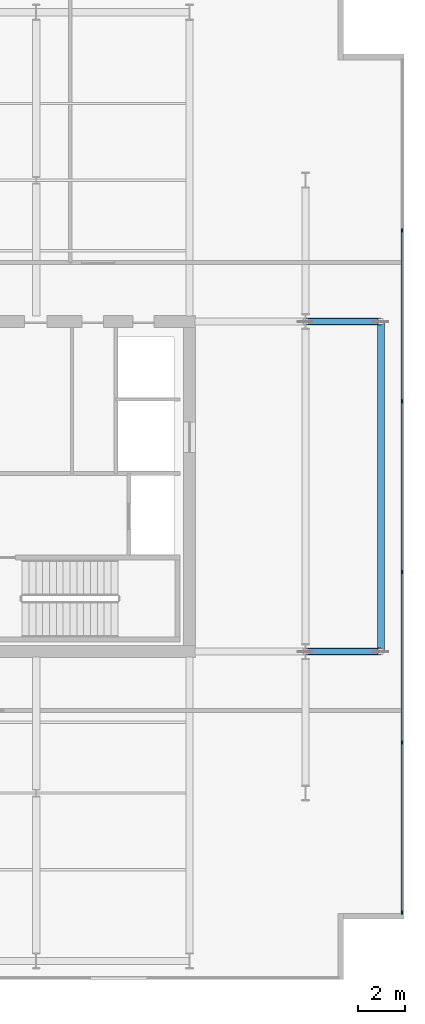
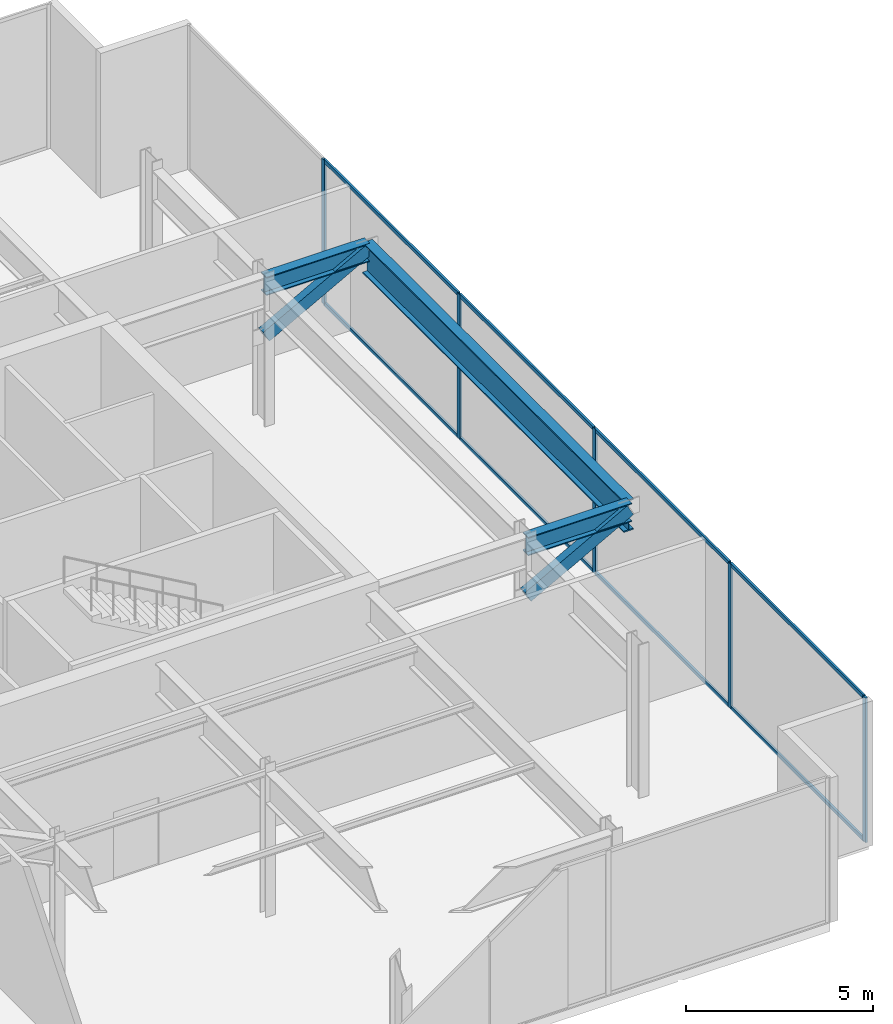
# One storey, part 14 of 23: 15 members, 3 beams, 1 element without a shape of its own.
"""IFC4 building model written with IfcOpenShell, lengths in metres."""

from ifc_helpers import new_model, si_unit, direction, frame, origin, origin_2d, place, context, subcontext, project, spatial, rectangle, hollow_rectangle, i_section, extrude, material, layer, layer_set, material_profile, profile_set, type_object, element, aggregate, save


model = new_model("IFC4")

# Units and contexts
model_context = context("Model", 3, precision=1e-05, world=origin(), true_north=direction((0.0, 1.0)))
body_context = subcontext(model_context, "Body", "Model", "MODEL_VIEW")
ifc_project = project(units=[si_unit("LENGTHUNIT", "METRE"), si_unit("AREAUNIT", "SQUARE_METRE"), si_unit("VOLUMEUNIT", "CUBIC_METRE"), si_unit("PLANEANGLEUNIT", "RADIAN"), si_unit("MASSUNIT", "GRAM", prefix="KILO")], contexts=[model_context])

# Site, building, storey
site_placement = place(None, origin())
site = spatial("IfcSite", under=ifc_project, at=site_placement, CompositionType="ELEMENT")
building_placement = place(site_placement, origin())
building = spatial("IfcBuilding", under=site, at=building_placement, Name="Putna Gate Headquarters", CompositionType="ELEMENT")
storey_placement = place(building_placement, frame((0.0, 0.0, 310.39990234375)))
storey = spatial("IfcBuildingStorey", under=building, at=storey_placement, Name="L78", CompositionType="ELEMENT", Elevation=310.39990234375)

# Beams
ifc_material_1 = material(Name="Steel S355J2", Category="steel")
ifc_material_profile_1 = material_profile(ifc_material_1, i_section(OverallWidth=0.300048828125, OverallDepth=0.60009765625, WebThickness=0.015380859375, FlangeThickness=0.030029296875, at=origin_2d()), Name="Steel S355J2")
ifc_profile_set_1 = profile_set([ifc_material_profile_1], Name="Steel S355J2")
beam_type_1 = type_object("IfcBeamType", Name="BM-GIRD-SAIL-HEB600", PredefinedType="USERDEFINED", material=ifc_profile_set_1)
for number, where, z_axis, x_axis, name in (
    (1, (69.926025390625, 19.0, 4.420166015625), (1.0, 0.0, 0.0), (0.0, 1.0, 0.0), "L78 East Sail Outrigger Bracket Y19"),
    (2, (69.926025390625, 33.0, 4.420166015625), (1.0, 0.0, 0.0), (0.0, 1.0, 0.0), "L78 East Sail Outrigger Bracket Y33"),
):
    element("IfcBeam", number, at=place(storey_placement, frame(where, z_axis=z_axis, x_axis=x_axis)), inside=storey, type_object=beam_type_1, Name=name, ObjectType="GIRDER", PredefinedType="USERDEFINED", context=body_context, shape_type="SweptSolid", body=[
        extrude(i_section(OverallWidth=0.300048828125, OverallDepth=0.60009765625, WebThickness=0.015380859375, FlangeThickness=0.030029296875, at=origin_2d()), origin(), (0.0, 0.0, 1.0), 3.194091796875),
    ])
ifc_material_2 = material(Name="Steel S460M", Category="steel")
ifc_material_profile_2 = material_profile(ifc_material_2, i_section(OverallWidth=0.302001953125, OverallDepth=1.008056640625, WebThickness=0.02099609375, FlangeThickness=0.0400390625, at=origin_2d()), Name="Steel S460M")
ifc_profile_set_2 = profile_set([ifc_material_profile_2], Name="Steel S460M")
beam_type_2 = type_object("IfcBeamType", Name="BM-TG-HEM1000-EXT", PredefinedType="USERDEFINED", material=ifc_profile_set_2)
beam_placement = place(storey_placement, frame((73.1201171875, 19.02001953125, 4.216064453125), z_axis=(0.0, 1.0, 0.0), x_axis=(-1.0, 0.0, 0.0)))
element("IfcBeam", 3, at=beam_placement, inside=storey, type_object=beam_type_2, Name="L78 East Sail Edge Spandrel", ObjectType="GIRDER", PredefinedType="USERDEFINED", context=body_context, shape_type="SweptSolid", body=[
    extrude(i_section(OverallWidth=0.302001953125, OverallDepth=1.008056640625, WebThickness=0.02099609375, FlangeThickness=0.0400390625, at=origin_2d()), origin(), (0.0, 0.0, 1.0), 13.9599609375),
])

# Members
ifc_material_profile_3 = material_profile(ifc_material_2, hollow_rectangle(XDim=0.25, YDim=0.39990234375, WallThickness=0.01611328125, at=origin_2d()), Name="Steel S460M")
ifc_profile_set_3 = profile_set([ifc_material_profile_3], Name="Steel S460M")
member_type_1 = type_object("IfcMemberType", Name="MEM-SAIL-BRACE-RHS400", PredefinedType="BRACE", material=ifc_profile_set_3)
for number, where, z_axis, x_axis, name in (
    (4, (69.9326171875, 19.0, 2.759765625), (0.877062960254, 0.0, 0.480375440411), (0.0, 1.0, 0.0), "L78 East Sail Cantilever Raker Y19"),
    (5, (69.9326171875, 33.0, 2.759765625), (0.877062960254, 0.0, 0.480375440411), (0.0, 1.0, 0.0), "L78 East Sail Cantilever Raker Y33"),
):
    element("IfcMember", number, at=place(storey_placement, frame(where, z_axis=z_axis, x_axis=x_axis)), inside=storey, type_object=member_type_1, Name=name, PredefinedType="BRACE", context=body_context, shape_type="SweptSolid", body=[
        extrude(hollow_rectangle(XDim=0.25, YDim=0.39990234375, WallThickness=0.01611328125, at=origin_2d()), origin(), (0.0, 0.0, 1.0), 3.602783203125),
    ])

# Curtain wall, members
ifc_material_3 = material(Name="Anodised bronze aluminium curtain wall", Category="aluminium")
ifc_layer = layer(ifc_material_3, 0.159912109375)
ifc_layer_set = layer_set([ifc_layer], Name="Anodised bronze aluminium curtain wall")
curtain_wall_type = type_object("IfcCurtainWallType", Name="CW-SYS-CRN", PredefinedType="USERDEFINED", material=ifc_layer_set)
curtain_wall_placement = place(storey_placement, origin())
curtain_wall = element("IfcCurtainWall", 6, at=curtain_wall_placement, inside=storey, type_object=curtain_wall_type, Name="L78 Acoustic Louvre East Enclosure", ObjectType="STICK CURTAIN WALL", PredefinedType="USERDEFINED")
ifc_material_4 = material(Name="Anodised bronze aluminium EN AW-6060", Category="aluminium")
ifc_material_profile_4 = material_profile(ifc_material_4, rectangle(XDim=0.06494140625, YDim=0.159912109375, at=origin_2d()), Name="Anodised bronze aluminium EN AW-6060")
ifc_profile_set_4 = profile_set([ifc_material_profile_4], Name="Anodised bronze aluminium EN AW-6060")
member_type_2 = type_object("IfcMemberType", Name="MULL-CWM-CR", PredefinedType="MULLION", material=ifc_profile_set_4)
member_1_placement = place(storey_placement, frame((74.02001953125, 7.9326171875, 0.0), z_axis=(0.0, 0.0, 1.0), x_axis=(-1.0, 0.0, 0.0)))
member_1 = element("IfcMember", 7, at=member_1_placement, type_object=member_type_2, Name="CWS-CR mullion 1", PredefinedType="MULLION", context=body_context, shape_type="SweptSolid", body=[
    extrude(rectangle(XDim=0.06494140625, YDim=0.159912109375, at=origin_2d()), origin(), (0.0, 0.0, 1.0), 4.72021484375),
])
member_2_placement = place(storey_placement, frame((74.02001953125, 15.139892578125, 0.0), z_axis=(0.0, 0.0, 1.0), x_axis=(-1.0, 0.0, 0.0)))
member_2 = element("IfcMember", 8, at=member_2_placement, type_object=member_type_2, Name="CWS-CR mullion 2", PredefinedType="MULLION", context=body_context, shape_type="SweptSolid", body=[
    extrude(rectangle(XDim=0.06494140625, YDim=0.159912109375, at=origin_2d()), origin(), (0.0, 0.0, 1.0), 4.72021484375),
])
member_3_placement = place(storey_placement, frame((74.02001953125, 22.3798828125, 0.0), z_axis=(0.0, 0.0, 1.0), x_axis=(-1.0, 0.0, 0.0)))
member_3 = element("IfcMember", 9, at=member_3_placement, type_object=member_type_2, Name="CWS-CR mullion 3", PredefinedType="MULLION", context=body_context, shape_type="SweptSolid", body=[
    extrude(rectangle(XDim=0.06494140625, YDim=0.159912109375, at=origin_2d()), origin(), (0.0, 0.0, 1.0), 4.72021484375),
])
member_4_placement = place(storey_placement, frame((74.02001953125, 29.6201171875, 0.0), z_axis=(0.0, 0.0, 1.0), x_axis=(-1.0, 0.0, 0.0)))
member_4 = element("IfcMember", 10, at=member_4_placement, type_object=member_type_2, Name="CWS-CR mullion 4", PredefinedType="MULLION", context=body_context, shape_type="SweptSolid", body=[
    extrude(rectangle(XDim=0.06494140625, YDim=0.159912109375, at=origin_2d()), origin(), (0.0, 0.0, 1.0), 4.72021484375),
])
member_5_placement = place(storey_placement, frame((74.02001953125, 36.860107421875, 0.0), z_axis=(0.0, 0.0, 1.0), x_axis=(-1.0, 0.0, 0.0)))
member_5 = element("IfcMember", 11, at=member_5_placement, type_object=member_type_2, Name="CWS-CR mullion 5", PredefinedType="MULLION", context=body_context, shape_type="SweptSolid", body=[
    extrude(rectangle(XDim=0.06494140625, YDim=0.159912109375, at=origin_2d()), origin(), (0.0, 0.0, 1.0), 4.72021484375),
])
ifc_material_profile_5 = material_profile(ifc_material_4, rectangle(XDim=0.06494140625, YDim=0.1201171875, at=origin_2d()), Name="Anodised bronze aluminium EN AW-6060")
ifc_profile_set_5 = profile_set([ifc_material_profile_5], Name="Anodised bronze aluminium EN AW-6060")
member_type_3 = type_object("IfcMemberType", Name="TRAN-CWT-CR", PredefinedType="USERDEFINED", material=ifc_profile_set_5)
member_6_placement = place(storey_placement, frame((74.02001953125, 7.965087890625, 0.03271484375), z_axis=(0.0, 1.0, 0.0), x_axis=(-1.0, 0.0, 0.0)))
member_6 = element("IfcMember", 12, at=member_6_placement, type_object=member_type_3, Name="CWS-CR transom 1.1", ObjectType="TRANSOM", PredefinedType="USERDEFINED", context=body_context, shape_type="SweptSolid", body=[
    extrude(rectangle(XDim=0.06494140625, YDim=0.1201171875, at=origin_2d()), origin(), (0.0, 0.0, 1.0), 7.142333984375),
])
member_7_placement = place(storey_placement, frame((74.02001953125, 7.965087890625, 4.6875), z_axis=(0.0, 1.0, 0.0), x_axis=(-1.0, 0.0, 0.0)))
member_7 = element("IfcMember", 13, at=member_7_placement, type_object=member_type_3, Name="CWS-CR transom 1.2", ObjectType="TRANSOM", PredefinedType="USERDEFINED", context=body_context, shape_type="SweptSolid", body=[
    extrude(rectangle(XDim=0.06494140625, YDim=0.1201171875, at=origin_2d()), origin(), (0.0, 0.0, 1.0), 7.142333984375),
])
member_8_placement = place(storey_placement, frame((74.02001953125, 15.172607421875, 0.03271484375), z_axis=(0.0, 1.0, 0.0), x_axis=(-1.0, 0.0, 0.0)))
member_8 = element("IfcMember", 14, at=member_8_placement, type_object=member_type_3, Name="CWS-CR transom 2.1", ObjectType="TRANSOM", PredefinedType="USERDEFINED", context=body_context, shape_type="SweptSolid", body=[
    extrude(rectangle(XDim=0.06494140625, YDim=0.1201171875, at=origin_2d()), origin(), (0.0, 0.0, 1.0), 7.1748046875),
])
member_9_placement = place(storey_placement, frame((74.02001953125, 15.172607421875, 4.6875), z_axis=(0.0, 1.0, 0.0), x_axis=(-1.0, 0.0, 0.0)))
member_9 = element("IfcMember", 15, at=member_9_placement, type_object=member_type_3, Name="CWS-CR transom 2.2", ObjectType="TRANSOM", PredefinedType="USERDEFINED", context=body_context, shape_type="SweptSolid", body=[
    extrude(rectangle(XDim=0.06494140625, YDim=0.1201171875, at=origin_2d()), origin(), (0.0, 0.0, 1.0), 7.1748046875),
])
member_10_placement = place(storey_placement, frame((74.02001953125, 22.41259765625, 0.03271484375), z_axis=(0.0, 1.0, 0.0), x_axis=(-1.0, 0.0, 0.0)))
member_10 = element("IfcMember", 16, at=member_10_placement, type_object=member_type_3, Name="CWS-CR transom 3.1", ObjectType="TRANSOM", PredefinedType="USERDEFINED", context=body_context, shape_type="SweptSolid", body=[
    extrude(rectangle(XDim=0.06494140625, YDim=0.1201171875, at=origin_2d()), origin(), (0.0, 0.0, 1.0), 7.1748046875),
])
member_11_placement = place(storey_placement, frame((74.02001953125, 22.41259765625, 4.6875), z_axis=(0.0, 1.0, 0.0), x_axis=(-1.0, 0.0, 0.0)))
member_11 = element("IfcMember", 17, at=member_11_placement, type_object=member_type_3, Name="CWS-CR transom 3.2", ObjectType="TRANSOM", PredefinedType="USERDEFINED", context=body_context, shape_type="SweptSolid", body=[
    extrude(rectangle(XDim=0.06494140625, YDim=0.1201171875, at=origin_2d()), origin(), (0.0, 0.0, 1.0), 7.1748046875),
])
member_12_placement = place(storey_placement, frame((74.02001953125, 29.652587890625, 0.03271484375), z_axis=(0.0, 1.0, 0.0), x_axis=(-1.0, 0.0, 0.0)))
member_12 = element("IfcMember", 18, at=member_12_placement, type_object=member_type_3, Name="CWS-CR transom 4.1", ObjectType="TRANSOM", PredefinedType="USERDEFINED", context=body_context, shape_type="SweptSolid", body=[
    extrude(rectangle(XDim=0.06494140625, YDim=0.1201171875, at=origin_2d()), origin(), (0.0, 0.0, 1.0), 7.1748046875),
])
member_13_placement = place(storey_placement, frame((74.02001953125, 29.652587890625, 4.6875), z_axis=(0.0, 1.0, 0.0), x_axis=(-1.0, 0.0, 0.0)))
member_13 = element("IfcMember", 19, at=member_13_placement, type_object=member_type_3, Name="CWS-CR transom 4.2", ObjectType="TRANSOM", PredefinedType="USERDEFINED", context=body_context, shape_type="SweptSolid", body=[
    extrude(rectangle(XDim=0.06494140625, YDim=0.1201171875, at=origin_2d()), origin(), (0.0, 0.0, 1.0), 7.1748046875),
])
aggregate(curtain_wall, [member_1, member_2, member_3, member_4, member_5, member_6, member_7, member_8, member_9, member_10, member_11, member_12, member_13])

save(model, "model.ifc")
